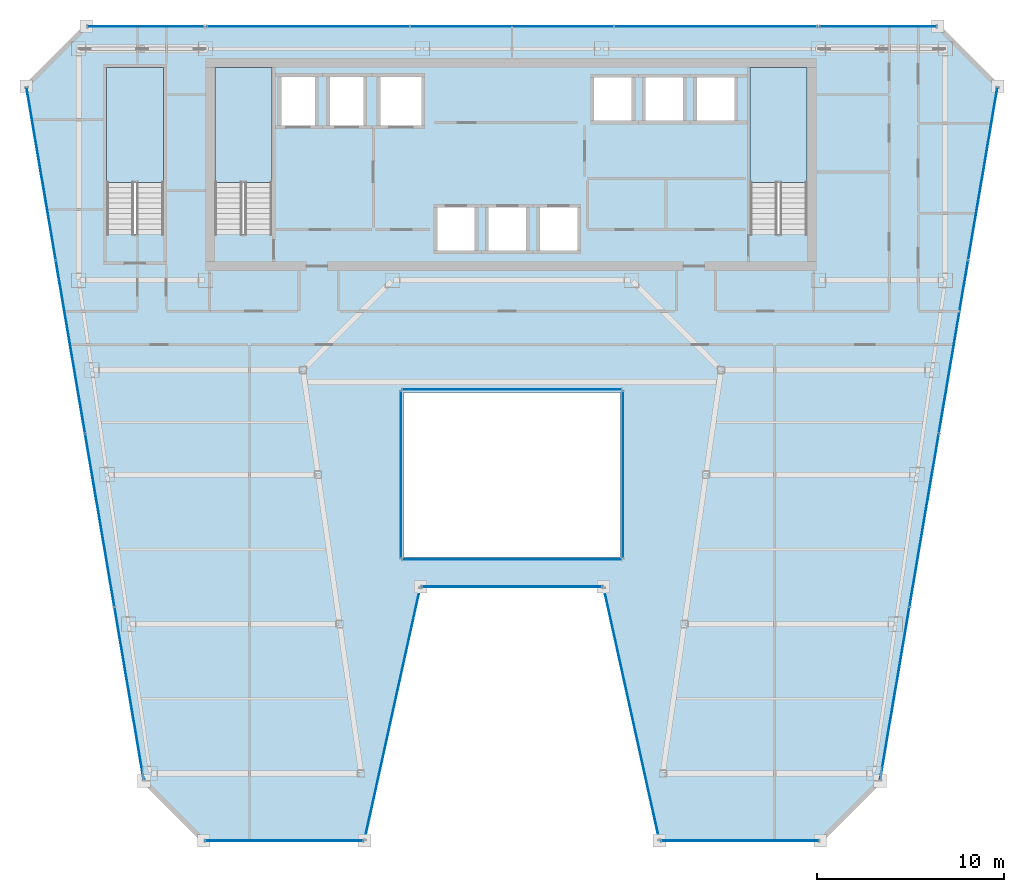
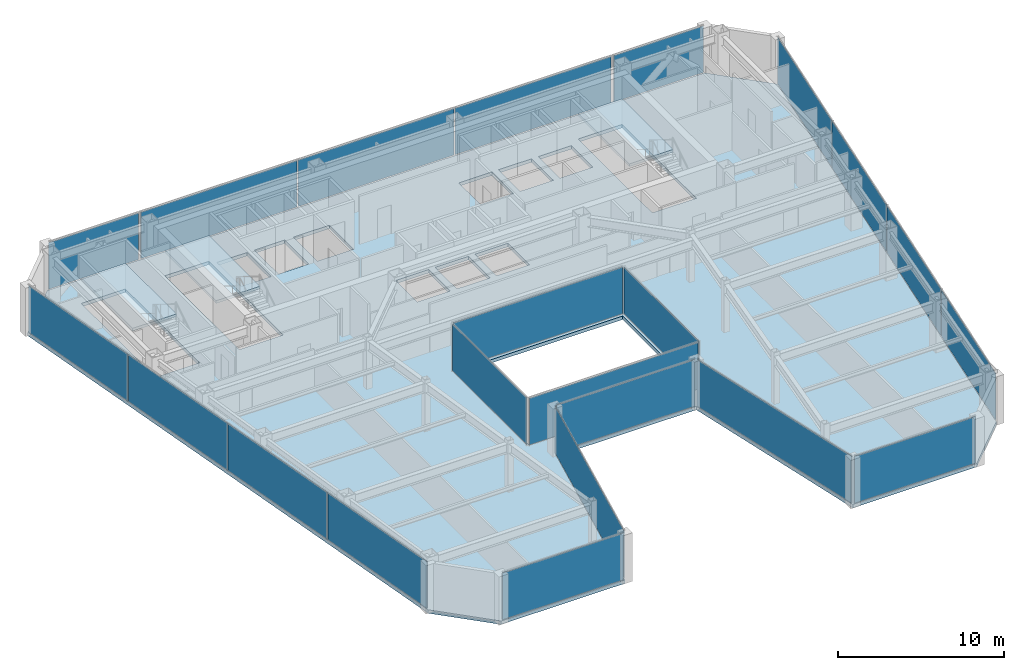
# One storey, part 28 of 35: 22 plates, 4 slabs, 17 elements without a shape of their own.
"""IFC4 building model written with IfcOpenShell, lengths in metres."""

from ifc_helpers import new_model, si_unit, direction, frame, origin, origin_2d, place, context, subcontext, project, spatial, polyline, rectangle, outline, extrude, material, layer, layer_set, type_object, element, aggregate, save


model = new_model("IFC4")

# Units and contexts
model_context = context("Model", 3, precision=1e-05, world=origin(), true_north=direction((0.0, 1.0)))
body_context = subcontext(model_context, "Body", "Model", "MODEL_VIEW")
ifc_project = project(units=[si_unit("LENGTHUNIT", "METRE"), si_unit("AREAUNIT", "SQUARE_METRE"), si_unit("VOLUMEUNIT", "CUBIC_METRE"), si_unit("PLANEANGLEUNIT", "RADIAN"), si_unit("MASSUNIT", "GRAM", prefix="KILO")], contexts=[model_context])

# Site, building, storey
site_placement = place(None, origin())
site = spatial("IfcSite", under=ifc_project, at=site_placement, CompositionType="ELEMENT")
building_placement = place(site_placement, origin())
building = spatial("IfcBuilding", under=site, at=building_placement, Name="Saevonmaru Cultural Tower", CompositionType="ELEMENT")
storey_placement = place(building_placement, frame((0.0, 0.0, 217.0)))
storey = spatial("IfcBuildingStorey", under=building, at=storey_placement, Name="L50", CompositionType="ELEMENT", Elevation=217.0)

# Curtain wall, plate
ifc_material_1 = material(Name="Satin Bronze Anodised Aluminium", Category="aluminium")
curtain_wall_type_1 = type_object("IfcCurtainWallType", Name="CW-ATR-GLZ", PredefinedType="NOTDEFINED", material=ifc_material_1)
curtain_wall_1_placement = place(storey_placement, origin())
curtain_wall_1 = element("IfcCurtainWall", 1, at=curtain_wall_1_placement, inside=storey, type_object=curtain_wall_type_1, Name="L50 Vertical Atrium Glazed Smoke Screen 1", PredefinedType="NOTDEFINED")
ifc_material_2 = material(Name="Fire-Rated Laminated Atrium Glass", Category="glass")
ifc_layer_1 = layer(ifc_material_2, 0.031982421875, Name="Fire-Rated Laminated Atrium Glass")
ifc_layer_set_1 = layer_set([ifc_layer_1], Name="Fire-Rated Laminated Atrium Glass")
plate_type_1 = type_object("IfcPlateType", Name="PN-GLZ-ATR-INT", PredefinedType="CURTAIN_PANEL", material=ifc_layer_set_1)
plate_1_placement = place(storey_placement, frame((30.0, 27.449951171875, 0.06689453125), z_axis=(0.0, 0.0, 1.0), x_axis=(1.0, 0.0, 0.0)))
plate_1 = element("IfcPlate", 2, at=plate_1_placement, type_object=plate_type_1, Name="CW-ATR-L50-1 panel 1.1", PredefinedType="CURTAIN_PANEL", context=body_context, shape_type="SweptSolid", body=[
    extrude(rectangle(XDim=11.7109375, YDim=0.031982421875, at=origin_2d()), origin(), (0.0, 0.0, 1.0), 3.416015625),
])
aggregate(curtain_wall_1, [plate_1])

curtain_wall_2_placement = place(storey_placement, origin())
curtain_wall_2 = element("IfcCurtainWall", 3, at=curtain_wall_2_placement, inside=storey, type_object=curtain_wall_type_1, Name="L50 Vertical Atrium Glazed Smoke Screen 2", PredefinedType="NOTDEFINED")
plate_2_placement = place(storey_placement, frame((35.949951171875, 32.0, 0.06689453125), z_axis=(0.0, 0.0, 1.0), x_axis=(0.0, 1.0, 0.0)))
plate_2 = element("IfcPlate", 4, at=plate_2_placement, type_object=plate_type_1, Name="CW-ATR-L50-2 panel 1.1", PredefinedType="CURTAIN_PANEL", context=body_context, shape_type="SweptSolid", body=[
    extrude(rectangle(XDim=8.910888671875, YDim=0.031982421875, at=origin_2d()), origin(), (0.0, 0.0, 1.0), 3.416015625),
])
aggregate(curtain_wall_2, [plate_2])

curtain_wall_3_placement = place(storey_placement, origin())
curtain_wall_3 = element("IfcCurtainWall", 5, at=curtain_wall_3_placement, inside=storey, type_object=curtain_wall_type_1, Name="L50 Vertical Atrium Glazed Smoke Screen 3", PredefinedType="NOTDEFINED")
plate_3_placement = place(storey_placement, frame((30.0, 36.550048828125, 0.06689453125), z_axis=(0.0, 0.0, 1.0), x_axis=(-1.0, 0.0, 0.0)))
plate_3 = element("IfcPlate", 6, at=plate_3_placement, type_object=plate_type_1, Name="CW-ATR-L50-3 panel 1.1", PredefinedType="CURTAIN_PANEL", context=body_context, shape_type="SweptSolid", body=[
    extrude(rectangle(XDim=11.7109375, YDim=0.031982421875, at=origin_2d()), origin(), (0.0, 0.0, 1.0), 3.416015625),
])
aggregate(curtain_wall_3, [plate_3])

curtain_wall_4_placement = place(storey_placement, origin())
curtain_wall_4 = element("IfcCurtainWall", 7, at=curtain_wall_4_placement, inside=storey, type_object=curtain_wall_type_1, Name="L50 Vertical Atrium Glazed Smoke Screen 4", PredefinedType="NOTDEFINED")
plate_4_placement = place(storey_placement, frame((24.050048828125, 32.0, 0.06689453125), z_axis=(0.0, 0.0, 1.0), x_axis=(0.0, -1.0, 0.0)))
plate_4 = element("IfcPlate", 8, at=plate_4_placement, type_object=plate_type_1, Name="CW-ATR-L50-4 panel 1.1", PredefinedType="CURTAIN_PANEL", context=body_context, shape_type="SweptSolid", body=[
    extrude(rectangle(XDim=8.910888671875, YDim=0.031982421875, at=origin_2d()), origin(), (0.0, 0.0, 1.0), 3.416015625),
])
aggregate(curtain_wall_4, [plate_4])

curtain_wall_type_2 = type_object("IfcCurtainWallType", Name="CW-TYP-B", PredefinedType="NOTDEFINED", material=ifc_material_1)
curtain_wall_5_placement = place(storey_placement, origin())
curtain_wall_5 = element("IfcCurtainWall", 9, at=curtain_wall_5_placement, inside=storey, type_object=curtain_wall_type_2, Name="L50 Unitised Curtain Wall E2", PredefinedType="NOTDEFINED")
ifc_material_3 = material(Name="Triple Silver Low-E Insulating Glass", Category="glass")
ifc_layer_2 = layer(ifc_material_3, 0.035888671875, Name="Triple Silver Low-E Insulating Glass")
ifc_layer_set_2 = layer_set([ifc_layer_2], Name="Triple Silver Low-E Insulating Glass")
plate_type_2 = type_object("IfcPlateType", Name="PN-GLZ-IGU", PredefinedType="CURTAIN_PANEL", material=ifc_layer_set_2)
plate_5_placement = place(storey_placement, frame((17.7978515625, 12.39990234375, 0.06689453125), z_axis=(0.0, 0.0, 1.0), x_axis=(1.0, 0.0, 0.0)))
plate_5 = element("IfcPlate", 10, at=plate_5_placement, type_object=plate_type_2, Name="CW-TW-L50-E2 panel 1.1", PredefinedType="CURTAIN_PANEL", context=body_context, shape_type="SweptSolid", body=[
    extrude(rectangle(XDim=8.410888671875, YDim=0.035888671875, at=origin_2d()), origin(), (0.0, 0.0, 1.0), 3.416015625),
])
aggregate(curtain_wall_5, [plate_5])

curtain_wall_6_placement = place(storey_placement, origin())
curtain_wall_6 = element("IfcCurtainWall", 11, at=curtain_wall_6_placement, inside=storey, type_object=curtain_wall_type_2, Name="L50 Unitised Curtain Wall E3", PredefinedType="NOTDEFINED")
plate_6_placement = place(storey_placement, frame((23.597900390625, 19.199951171875, 0.06689453125), z_axis=(0.0, 0.0, 1.0), x_axis=(0.215413319953, 0.976522965212, 0.0)))
plate_6 = element("IfcPlate", 12, at=plate_6_placement, type_object=plate_type_2, Name="CW-TW-L50-E3 panel 1.1", PredefinedType="CURTAIN_PANEL", context=body_context, shape_type="SweptSolid", body=[
    extrude(rectangle(XDim=13.738037109375, YDim=0.035888671875, at=origin_2d()), origin(), (0.0, 0.0, 1.0), 3.416015625),
])
aggregate(curtain_wall_6, [plate_6])

curtain_wall_7_placement = place(storey_placement, origin())
curtain_wall_7 = element("IfcCurtainWall", 13, at=curtain_wall_7_placement, inside=storey, type_object=curtain_wall_type_2, Name="L50 Unitised Curtain Wall E4", PredefinedType="NOTDEFINED")
plate_7_placement = place(storey_placement, frame((30.0, 26.0, 0.06689453125), z_axis=(0.0, 0.0, 1.0), x_axis=(1.0, 0.0, 0.0)))
plate_7 = element("IfcPlate", 14, at=plate_7_placement, type_object=plate_type_2, Name="CW-TW-L50-E4 panel 1.1", PredefinedType="CURTAIN_PANEL", context=body_context, shape_type="SweptSolid", body=[
    extrude(rectangle(XDim=9.615478515625, YDim=0.035888671875, at=origin_2d()), origin(), (0.0, 0.0, 1.0), 3.416015625),
])
aggregate(curtain_wall_7, [plate_7])

curtain_wall_8_placement = place(storey_placement, origin())
curtain_wall_8 = element("IfcCurtainWall", 15, at=curtain_wall_8_placement, inside=storey, type_object=curtain_wall_type_2, Name="L50 Unitised Curtain Wall E5", PredefinedType="NOTDEFINED")
plate_8_placement = place(storey_placement, frame((36.402099609375, 19.199951171875, 0.06689453125), z_axis=(0.0, 0.0, 1.0), x_axis=(0.215413319953, -0.976522965212, 0.0)))
plate_8 = element("IfcPlate", 16, at=plate_8_placement, type_object=plate_type_2, Name="CW-TW-L50-E5 panel 1.1", PredefinedType="CURTAIN_PANEL", context=body_context, shape_type="SweptSolid", body=[
    extrude(rectangle(XDim=13.738037109375, YDim=0.035888671875, at=origin_2d()), origin(), (0.0, 0.0, 1.0), 3.416015625),
])
aggregate(curtain_wall_8, [plate_8])

curtain_wall_9_placement = place(storey_placement, origin())
curtain_wall_9 = element("IfcCurtainWall", 17, at=curtain_wall_9_placement, inside=storey, type_object=curtain_wall_type_2, Name="L50 Unitised Curtain Wall E6", PredefinedType="NOTDEFINED")
plate_9_placement = place(storey_placement, frame((42.2021484375, 12.39990234375, 0.06689453125), z_axis=(0.0, 0.0, 1.0), x_axis=(1.0, 0.0, 0.0)))
plate_9 = element("IfcPlate", 18, at=plate_9_placement, type_object=plate_type_2, Name="CW-TW-L50-E6 panel 1.1", PredefinedType="CURTAIN_PANEL", context=body_context, shape_type="SweptSolid", body=[
    extrude(rectangle(XDim=8.410888671875, YDim=0.035888671875, at=origin_2d()), origin(), (0.0, 0.0, 1.0), 3.416015625),
])
aggregate(curtain_wall_9, [plate_9])

# Curtain wall, plates
curtain_wall_10_placement = place(storey_placement, origin())
curtain_wall_10 = element("IfcCurtainWall", 19, at=curtain_wall_10_placement, inside=storey, type_object=curtain_wall_type_2, Name="L50 Unitised Curtain Wall E8", PredefinedType="NOTDEFINED")
plate_10_placement = place(storey_placement, frame((50.496826171875, 20.29443359375, 0.06689453125), z_axis=(0.0, 0.0, 1.0), x_axis=(0.16692169721, 0.985970155228, 0.0)))
plate_10 = element("IfcPlate", 20, at=plate_10_placement, type_object=plate_type_2, Name="CW-TW-L50-E8 panel 1.1", PredefinedType="CURTAIN_PANEL", context=body_context, shape_type="SweptSolid", body=[
    extrude(rectangle(XDim=9.333251953125, YDim=0.035888671875, at=origin_2d()), origin(), (0.0, 0.0, 1.0), 3.416015625),
])
plate_11_placement = place(storey_placement, frame((52.06640625, 29.564697265625, 0.06689453125), z_axis=(0.0, 0.0, 1.0), x_axis=(0.16692169721, 0.985970155228, 0.0)))
plate_11 = element("IfcPlate", 21, at=plate_11_placement, type_object=plate_type_2, Name="CW-TW-L50-E8 panel 2.1", PredefinedType="CURTAIN_PANEL", context=body_context, shape_type="SweptSolid", body=[
    extrude(rectangle(XDim=9.333251953125, YDim=0.035888671875, at=origin_2d()), origin(), (0.0, 0.0, 1.0), 3.416015625),
])
plate_12_placement = place(storey_placement, frame((53.6357421875, 38.835205078125, 0.06689453125), z_axis=(0.0, 0.0, 1.0), x_axis=(0.16692169721, 0.985970155228, 0.0)))
plate_12 = element("IfcPlate", 22, at=plate_12_placement, type_object=plate_type_2, Name="CW-TW-L50-E8 panel 3.1", PredefinedType="CURTAIN_PANEL", context=body_context, shape_type="SweptSolid", body=[
    extrude(rectangle(XDim=9.333251953125, YDim=0.035888671875, at=origin_2d()), origin(), (0.0, 0.0, 1.0), 3.416015625),
])
plate_13_placement = place(storey_placement, frame((55.205322265625, 48.105712890625, 0.06689453125), z_axis=(0.0, 0.0, 1.0), x_axis=(0.16692169721, 0.985970155228, 0.0)))
plate_13 = element("IfcPlate", 23, at=plate_13_placement, type_object=plate_type_2, Name="CW-TW-L50-E8 panel 4.1", PredefinedType="CURTAIN_PANEL", context=body_context, shape_type="SweptSolid", body=[
    extrude(rectangle(XDim=9.333251953125, YDim=0.035888671875, at=origin_2d()), origin(), (0.0, 0.0, 1.0), 3.416015625),
])
aggregate(curtain_wall_10, [plate_10, plate_11, plate_12, plate_13])

curtain_wall_11_placement = place(storey_placement, origin())
curtain_wall_11 = element("IfcCurtainWall", 24, at=curtain_wall_11_placement, inside=storey, type_object=curtain_wall_type_2, Name="L50 North Spine Unitised Curtain Wall E10B", PredefinedType="NOTDEFINED")
plate_14_placement = place(storey_placement, frame((40.893310546875, 56.0, 0.06689453125), z_axis=(0.0, 0.0, 1.0), x_axis=(-1.0, 0.0, 0.0)))
plate_14 = element("IfcPlate", 25, at=plate_14_placement, type_object=plate_type_2, Name="CW-TW-L50-E10B panel 1.1", PredefinedType="CURTAIN_PANEL", context=body_context, shape_type="SweptSolid", body=[
    extrude(rectangle(XDim=10.82421875, YDim=0.035888671875, at=origin_2d()), origin(), (0.0, 0.0, 1.0), 3.416015625),
])
plate_15_placement = place(storey_placement, frame((30.0, 56.0, 0.06689453125), z_axis=(0.0, 0.0, 1.0), x_axis=(-1.0, 0.0, 0.0)))
plate_15 = element("IfcPlate", 26, at=plate_15_placement, type_object=plate_type_2, Name="CW-TW-L50-E10B panel 2.1", PredefinedType="CURTAIN_PANEL", context=body_context, shape_type="SweptSolid", body=[
    extrude(rectangle(XDim=10.82421875, YDim=0.035888671875, at=origin_2d()), origin(), (0.0, 0.0, 1.0), 3.416015625),
])
plate_16_placement = place(storey_placement, frame((19.106689453125, 56.0, 0.06689453125), z_axis=(0.0, 0.0, 1.0), x_axis=(-1.0, 0.0, 0.0)))
plate_16 = element("IfcPlate", 27, at=plate_16_placement, type_object=plate_type_2, Name="CW-TW-L50-E10B panel 3.1", PredefinedType="CURTAIN_PANEL", context=body_context, shape_type="SweptSolid", body=[
    extrude(rectangle(XDim=10.82421875, YDim=0.035888671875, at=origin_2d()), origin(), (0.0, 0.0, 1.0), 3.416015625),
])
aggregate(curtain_wall_11, [plate_14, plate_15, plate_16])

curtain_wall_12_placement = place(storey_placement, origin())
curtain_wall_12 = element("IfcCurtainWall", 28, at=curtain_wall_12_placement, inside=storey, type_object=curtain_wall_type_2, Name="L50 Unitised Curtain Wall E12", PredefinedType="NOTDEFINED")
plate_17_placement = place(storey_placement, frame((4.794677734375, 48.105712890625, 0.06689453125), z_axis=(0.0, 0.0, 1.0), x_axis=(0.16692169721, -0.985970155228, 0.0)))
plate_17 = element("IfcPlate", 29, at=plate_17_placement, type_object=plate_type_2, Name="CW-TW-L50-E12 panel 1.1", PredefinedType="CURTAIN_PANEL", context=body_context, shape_type="SweptSolid", body=[
    extrude(rectangle(XDim=9.333251953125, YDim=0.035888671875, at=origin_2d()), origin(), (0.0, 0.0, 1.0), 3.416015625),
])
plate_18_placement = place(storey_placement, frame((6.3642578125, 38.835205078125, 0.06689453125), z_axis=(0.0, 0.0, 1.0), x_axis=(0.16692169721, -0.985970155228, 0.0)))
plate_18 = element("IfcPlate", 30, at=plate_18_placement, type_object=plate_type_2, Name="CW-TW-L50-E12 panel 2.1", PredefinedType="CURTAIN_PANEL", context=body_context, shape_type="SweptSolid", body=[
    extrude(rectangle(XDim=9.333251953125, YDim=0.035888671875, at=origin_2d()), origin(), (0.0, 0.0, 1.0), 3.416015625),
])
plate_19_placement = place(storey_placement, frame((7.93359375, 29.564697265625, 0.06689453125), z_axis=(0.0, 0.0, 1.0), x_axis=(0.16692169721, -0.985970155228, 0.0)))
plate_19 = element("IfcPlate", 31, at=plate_19_placement, type_object=plate_type_2, Name="CW-TW-L50-E12 panel 3.1", PredefinedType="CURTAIN_PANEL", context=body_context, shape_type="SweptSolid", body=[
    extrude(rectangle(XDim=9.333251953125, YDim=0.035888671875, at=origin_2d()), origin(), (0.0, 0.0, 1.0), 3.416015625),
])
plate_20_placement = place(storey_placement, frame((9.503173828125, 20.29443359375, 0.06689453125), z_axis=(0.0, 0.0, 1.0), x_axis=(0.16692169721, -0.985970155228, 0.0)))
plate_20 = element("IfcPlate", 32, at=plate_20_placement, type_object=plate_type_2, Name="CW-TW-L50-E12 panel 4.1", PredefinedType="CURTAIN_PANEL", context=body_context, shape_type="SweptSolid", body=[
    extrude(rectangle(XDim=9.333251953125, YDim=0.035888671875, at=origin_2d()), origin(), (0.0, 0.0, 1.0), 3.416015625),
])
aggregate(curtain_wall_12, [plate_17, plate_18, plate_19, plate_20])

# Curtain wall, plate
curtain_wall_13_placement = place(storey_placement, origin())
curtain_wall_13 = element("IfcCurtainWall", 33, at=curtain_wall_13_placement, inside=storey, type_object=curtain_wall_type_2, Name="L50 East Braced Bay Spandrel Curtain Wall E10A", PredefinedType="NOTDEFINED")
ifc_material_4 = material(Name="Insulated Satin Bronze Aluminium Spandrel Panel", Category="aluminium")
ifc_layer_3 = layer(ifc_material_4, 0.0400390625, Name="Insulated Satin Bronze Aluminium Spandrel Panel")
ifc_layer_set_3 = layer_set([ifc_layer_3], Name="Insulated Satin Bronze Aluminium Spandrel Panel")
plate_type_3 = type_object("IfcPlateType", Name="PN-SPANDREL-BRONZE", PredefinedType="CURTAIN_PANEL", material=ifc_layer_set_3)
plate_21_placement = place(storey_placement, frame((49.60009765625, 56.0, 0.06689453125), z_axis=(0.0, 0.0, 1.0), x_axis=(-1.0, 0.0, 0.0)))
plate_21 = element("IfcPlate", 34, at=plate_21_placement, type_object=plate_type_3, Name="CW-TW-L50-E10A panel 1.1", PredefinedType="CURTAIN_PANEL", context=body_context, shape_type="SweptSolid", body=[
    extrude(rectangle(XDim=6.2109375, YDim=0.035888671875, at=origin_2d()), origin(), (0.0, 0.0, 1.0), 3.416015625),
])
aggregate(curtain_wall_13, [plate_21])

curtain_wall_14_placement = place(storey_placement, origin())
curtain_wall_14 = element("IfcCurtainWall", 35, at=curtain_wall_14_placement, inside=storey, type_object=curtain_wall_type_2, Name="L50 West Braced Bay Spandrel Curtain Wall E10C", PredefinedType="NOTDEFINED")
plate_22_placement = place(storey_placement, frame((10.39990234375, 56.0, 0.06689453125), z_axis=(0.0, 0.0, 1.0), x_axis=(-1.0, 0.0, 0.0)))
plate_22 = element("IfcPlate", 36, at=plate_22_placement, type_object=plate_type_3, Name="CW-TW-L50-E10C panel 1.1", PredefinedType="CURTAIN_PANEL", context=body_context, shape_type="SweptSolid", body=[
    extrude(rectangle(XDim=6.2109375, YDim=0.035888671875, at=origin_2d()), origin(), (0.0, 0.0, 1.0), 3.416015625),
])
aggregate(curtain_wall_14, [plate_22])

# Slab
ifc_material_5 = material(Name="Concrete C40/50", Category="concrete")
ifc_layer_4 = layer(ifc_material_5, 0.25, Name="Concrete C40/50")
ifc_layer_set_4 = layer_set([ifc_layer_4], Name="Concrete C40/50")
slab_type_1 = type_object("IfcSlabType", Name="SL-FLR-250", PredefinedType="FLOOR", material=ifc_layer_set_4)
slab_1_placement = place(storey_placement, frame((0.0, 0.0, -0.25)))
element("IfcSlab", 37, at=slab_1_placement, inside=storey, type_object=slab_type_1, Name="L50 Tower Structural Floor Slab", PredefinedType="FLOOR", context=body_context, shape_type="SweptSolid", body=[
    extrude(outline(polyline([(10.2978515625, 15.60009765625), (13.497802734375, 12.39990234375), (22.097900390625, 12.39990234375), (25.097900390625, 26.0), (34.902099609375, 26.0), (37.902099609375, 12.39990234375), (46.502197265625, 12.39990234375), (49.7021484375, 15.60009765625), (56.0, 52.800048828125), (52.800048828125, 56.0), (7.199951171875, 56.0), (4.0, 52.800048828125), (10.2978515625, 15.60009765625)]), holes=[polyline([(45.800048828125, 44.875), (42.75, 44.875), (42.75, 53.800048828125), (45.800048828125, 53.800048828125), (45.800048828125, 44.875)]), polyline([(39.75, 50.800048828125), (39.75, 53.39990234375), (42.050048828125, 53.39990234375), (42.050048828125, 50.800048828125), (39.75, 50.800048828125)]), polyline([(37.0, 50.800048828125), (37.0, 53.39990234375), (39.300048828125, 53.39990234375), (39.300048828125, 50.800048828125), (37.0, 50.800048828125)]), polyline([(34.25, 50.800048828125), (34.25, 53.39990234375), (36.550048828125, 53.39990234375), (36.550048828125, 50.800048828125), (34.25, 50.800048828125)]), polyline([(24.199951171875, 27.60009765625), (24.199951171875, 36.39990234375), (35.800048828125, 36.39990234375), (35.800048828125, 27.60009765625), (24.199951171875, 27.60009765625)]), polyline([(31.35009765625, 43.85009765625), (31.35009765625, 46.449951171875), (33.64990234375, 46.449951171875), (33.64990234375, 43.85009765625), (31.35009765625, 43.85009765625)]), polyline([(28.60009765625, 43.85009765625), (28.60009765625, 46.449951171875), (30.89990234375, 46.449951171875), (30.89990234375, 43.85009765625), (28.60009765625, 43.85009765625)]), polyline([(28.14990234375, 43.85009765625), (25.85009765625, 43.85009765625), (25.85009765625, 46.449951171875), (28.14990234375, 46.449951171875), (28.14990234375, 43.85009765625)]), polyline([(25.300048828125, 50.550048828125), (22.800048828125, 50.550048828125), (22.800048828125, 53.449951171875), (25.300048828125, 53.449951171875), (25.300048828125, 50.550048828125)]), polyline([(20.10009765625, 50.550048828125), (20.10009765625, 53.449951171875), (22.199951171875, 53.449951171875), (22.199951171875, 50.550048828125), (20.10009765625, 50.550048828125)]), polyline([(17.5, 50.550048828125), (17.5, 53.449951171875), (19.60009765625, 53.449951171875), (19.60009765625, 50.550048828125), (17.5, 50.550048828125)]), polyline([(17.14990234375, 53.800048828125), (17.14990234375, 44.875), (14.10009765625, 44.875), (14.10009765625, 53.800048828125), (17.14990234375, 53.800048828125)]), polyline([(11.35009765625, 44.875), (8.300048828125, 44.875), (8.300048828125, 53.800048828125), (11.35009765625, 53.800048828125), (11.35009765625, 44.875)])]), origin(), (0.0, 0.0, 1.0), 0.25),
])

# Stair, slab
stair_type = type_object("IfcStairType", Name="STR-DOGLEG-RC", PredefinedType="HALF_TURN_STAIR", material=ifc_material_5)
stair_1_placement = place(storey_placement, origin())
stair_1 = element("IfcStair", 38, at=stair_1_placement, inside=storey, type_object=stair_type, Name="L50 Protected exit stair ST-1", PredefinedType="HALF_TURN_STAIR")
ifc_layer_5 = layer(ifc_material_5, 0.199951171875, Name="Concrete C40/50")
ifc_layer_set_5 = layer_set([ifc_layer_5], Name="Concrete C40/50")
slab_type_2 = type_object("IfcSlabType", Name="SL-STAIR-LANDING", PredefinedType="LANDING", material=ifc_layer_set_5)
slab_2_placement = place(storey_placement, frame((0.0, 0.0, 1.699951171875)))
slab_2 = element("IfcSlab", 39, at=slab_2_placement, type_object=slab_type_2, Name="ST-1-L50 landing 1", PredefinedType="LANDING", context=body_context, shape_type="SweptSolid", body=[
    extrude(outline(polyline([(17.14990234375, 47.64990234375), (17.14990234375, 53.800048828125), (14.10009765625, 53.800048828125), (14.10009765625, 47.64990234375), (17.14990234375, 47.64990234375)])), origin(), (0.0, 0.0, 1.0), 0.199951171875),
])
aggregate(stair_1, [slab_2])

stair_2_placement = place(storey_placement, origin())
stair_2 = element("IfcStair", 40, at=stair_2_placement, inside=storey, type_object=stair_type, Name="L50 Protected exit stair ST-2", PredefinedType="HALF_TURN_STAIR")
slab_3_placement = place(storey_placement, frame((0.0, 0.0, 1.699951171875)))
slab_3 = element("IfcSlab", 41, at=slab_3_placement, type_object=slab_type_2, Name="ST-2-L50 landing 1", PredefinedType="LANDING", context=body_context, shape_type="SweptSolid", body=[
    extrude(outline(polyline([(45.800048828125, 47.64990234375), (45.800048828125, 53.800048828125), (42.75, 53.800048828125), (42.75, 47.64990234375), (45.800048828125, 47.64990234375)])), origin(), (0.0, 0.0, 1.0), 0.199951171875),
])
aggregate(stair_2, [slab_3])

stair_3_placement = place(storey_placement, origin())
stair_3 = element("IfcStair", 42, at=stair_3_placement, inside=storey, type_object=stair_type, Name="L50 Protected exit stair ST-3", PredefinedType="HALF_TURN_STAIR")
slab_4_placement = place(storey_placement, frame((0.0, 0.0, 1.699951171875)))
slab_4 = element("IfcSlab", 43, at=slab_4_placement, type_object=slab_type_2, Name="ST-3-L50 landing 1", PredefinedType="LANDING", context=body_context, shape_type="SweptSolid", body=[
    extrude(outline(polyline([(11.35009765625, 47.64990234375), (11.35009765625, 53.800048828125), (8.300048828125, 53.800048828125), (8.300048828125, 47.64990234375), (11.35009765625, 47.64990234375)])), origin(), (0.0, 0.0, 1.0), 0.199951171875),
])
aggregate(stair_3, [slab_4])

save(model, "model.ifc")
